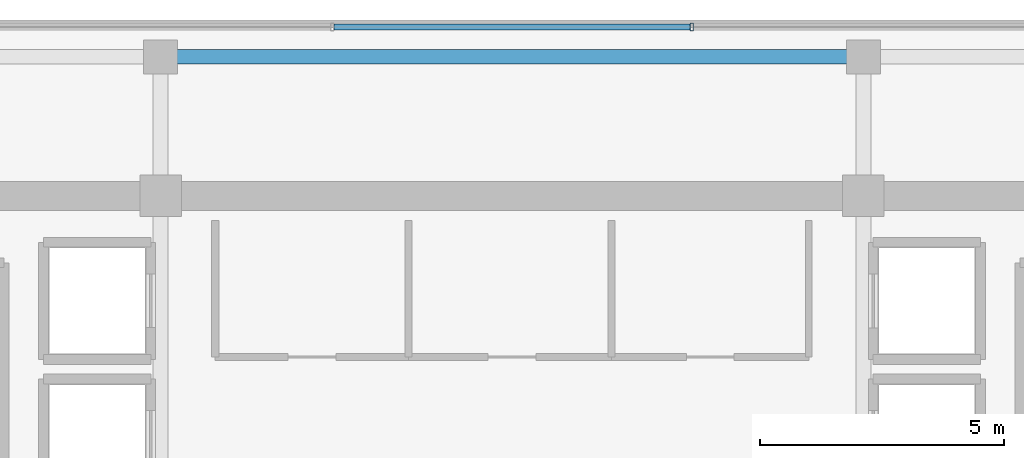
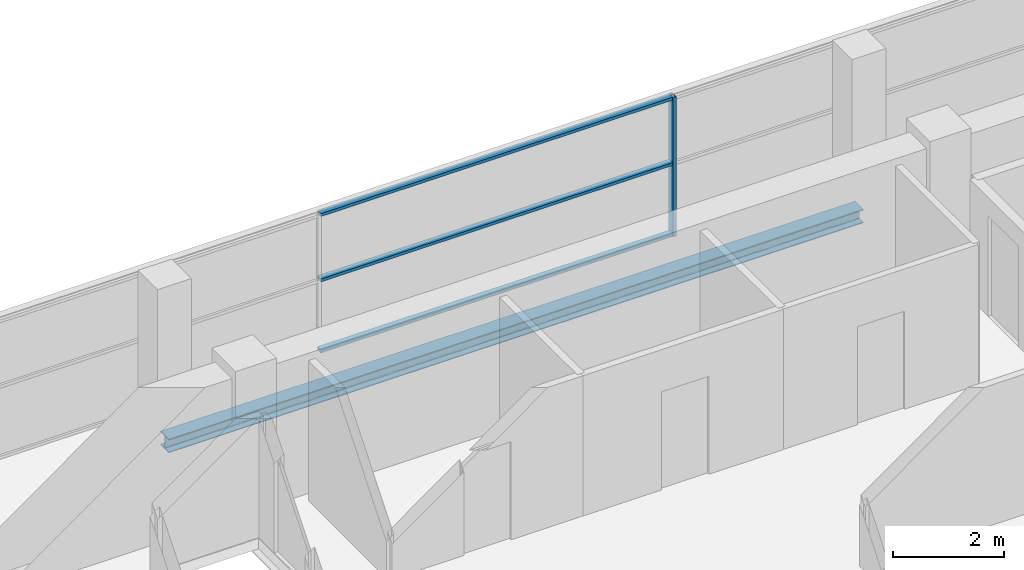
# One storey, part 18 of 28: 4 members, 1 beam, 1 element without a shape of its own.
"""IFC4 building model written with IfcOpenShell, lengths in metres."""

from ifc_helpers import new_model, si_unit, direction, frame, origin, origin_2d, place, context, subcontext, project, spatial, hollow_rectangle, i_section, extrude, source, transform, mapped, material, layer, layer_set, material_profile, profile_set, type_object, element, aggregate, save


model = new_model("IFC4")

# Units and contexts
model_context = context("Model", 3, precision=1e-05, world=origin(), true_north=direction((0.0, 1.0)))
body_context = subcontext(model_context, "Body", "Model", "MODEL_VIEW")
ifc_project = project(units=[si_unit("LENGTHUNIT", "METRE"), si_unit("AREAUNIT", "SQUARE_METRE"), si_unit("VOLUMEUNIT", "CUBIC_METRE"), si_unit("PLANEANGLEUNIT", "RADIAN"), si_unit("MASSUNIT", "GRAM", prefix="KILO")], contexts=[model_context])

# Site, building, storey
site_placement = place(None, origin())
site = spatial("IfcSite", under=ifc_project, at=site_placement, CompositionType="ELEMENT")
building_placement = place(site_placement, origin())
building = spatial("IfcBuilding", under=site, at=building_placement, Name="Zarnakvel Exchange Tower", CompositionType="ELEMENT")
storey_placement = place(building_placement, frame((0.0, 0.0, 261.699951171875)))
storey = spatial("IfcBuildingStorey", under=building, at=storey_placement, Name="L74", CompositionType="ELEMENT", Elevation=261.699951171875)

# Beam
ifc_material_1 = material(Name="Steel S355", Category="steel")
ifc_material_profile_1 = material_profile(ifc_material_1, i_section(OverallWidth=0.300048828125, OverallDepth=0.300048828125, WebThickness=0.010986328125, FlangeThickness=0.01904296875, FilletRadius=0.027099609375, at=origin_2d()))
ifc_profile_set_1 = profile_set([ifc_material_profile_1], Name="Steel S355")
beam_type = type_object("IfcBeamType", Name="SP-03", PredefinedType="SPANDREL", material=ifc_profile_set_1)
beam_placement = place(storey_placement, frame((-7.199951171875, 16.35009765625, -0.375), z_axis=(1.0, 0.0, 0.0), x_axis=(0.0, 1.0, 0.0)))
element("IfcBeam", 1, at=beam_placement, inside=storey, type_object=beam_type, Name="L74 Tower E-W Frame Beam", PredefinedType="SPANDREL", context=body_context, shape_type="SweptSolid", body=[
    extrude(i_section(OverallWidth=0.300048828125, OverallDepth=0.300048828125, WebThickness=0.010986328125, FlangeThickness=0.01904296875, FilletRadius=0.027099609375, at=origin_2d()), origin(), (0.0, 0.0, 1.0), 14.39990234375),
])

# Curtain wall, members
ifc_material_2 = material(Name="Architectural Bronze Anodised Aluminium", Category="aluminium")
ifc_layer = layer(ifc_material_2, 0.159912109375)
ifc_layer_set = layer_set([ifc_layer], Name="Architectural Bronze Anodised Aluminium")
curtain_wall_type = type_object("IfcCurtainWallType", Name="CW-06", PredefinedType="NOTDEFINED", material=ifc_layer_set)
curtain_wall_placement = place(storey_placement, origin())
curtain_wall = element("IfcCurtainWall", 2, at=curtain_wall_placement, inside=storey, type_object=curtain_wall_type, Name="L74 Curtain Wall CW-L74-N1 (CW-06)", PredefinedType="NOTDEFINED")
ifc_material_profile_2 = material_profile(ifc_material_2, hollow_rectangle(XDim=0.1298828125, YDim=0.06494140625, WallThickness=0.00390625, at=origin_2d()))
ifc_profile_set_2 = profile_set([ifc_material_profile_2], Name="Architectural Bronze Anodised Aluminium")
member_type_1 = type_object("IfcMemberType", Name="CWT-06", PredefinedType="USERDEFINED", material=ifc_profile_set_2)
shared_shape_1 = source(origin(), body_context, "Body", "SweptSolid", [
    extrude(hollow_rectangle(XDim=0.1298828125, YDim=0.06494140625, WallThickness=0.00390625, at=origin_2d()), origin(), (0.0, 0.0, 1.0), 7.294921875),
])
member_1_placement = place(storey_placement, frame((-3.6474609375, 16.9599609375, 0.032470703125), z_axis=(1.0, 0.0, 0.0), x_axis=(0.0, 1.0, 0.0)))
member_1 = element("IfcMember", 3, at=member_1_placement, type_object=member_type_1, Name="CW-06 transom 3.1", ObjectType="TRANSOM", PredefinedType="USERDEFINED", context=body_context, shape_type="MappedRepresentation", body=[
    mapped(shared_shape_1, transform((0.0, 0.0, 0.0), x_axis=(1.0, 0.0, 0.0), y_axis=(0.0, 1.0, 0.0), z_axis=(0.0, 0.0, 1.0), scale=1.0)),
])
member_2_placement = place(storey_placement, frame((-3.6474609375, 16.9599609375, 1.588623046875), z_axis=(1.0, 0.0, 0.0), x_axis=(0.0, 1.0, 0.0)))
member_2 = element("IfcMember", 4, at=member_2_placement, type_object=member_type_1, Name="CW-06 transom 3.2", ObjectType="TRANSOM", PredefinedType="USERDEFINED", context=body_context, shape_type="MappedRepresentation", body=[
    mapped(shared_shape_1, transform((0.0, 0.0, 0.0), x_axis=(1.0, 0.0, 0.0), y_axis=(0.0, 1.0, 0.0), z_axis=(0.0, 0.0, 1.0), scale=1.0)),
])
member_3_placement = place(storey_placement, frame((-3.6474609375, 16.9599609375, 3.0224609375), z_axis=(1.0, 0.0, 0.0), x_axis=(0.0, 1.0, 0.0)))
member_3 = element("IfcMember", 5, at=member_3_placement, type_object=member_type_1, Name="CW-06 transom 3.3", ObjectType="TRANSOM", PredefinedType="USERDEFINED", context=body_context, shape_type="MappedRepresentation", body=[
    mapped(shared_shape_1, transform((0.0, 0.0, 0.0), x_axis=(1.0, 0.0, 0.0), y_axis=(0.0, 1.0, 0.0), z_axis=(0.0, 0.0, 1.0), scale=1.0)),
])
ifc_material_profile_3 = material_profile(ifc_material_2, hollow_rectangle(XDim=0.159912109375, YDim=0.06494140625, WallThickness=0.00390625, at=origin_2d()))
ifc_profile_set_3 = profile_set([ifc_material_profile_3], Name="Architectural Bronze Anodised Aluminium")
member_type_2 = type_object("IfcMemberType", Name="CWM-06", PredefinedType="MULLION", material=ifc_profile_set_3)
shared_shape_2 = source(origin(), body_context, "Body", "SweptSolid", [
    extrude(hollow_rectangle(XDim=0.159912109375, YDim=0.06494140625, WallThickness=0.00390625, at=origin_2d()), origin(), (0.0, 0.0, 1.0), 3.054931640625),
])
member_4_placement = place(storey_placement, frame((3.679931640625, 16.9599609375, 0.0), z_axis=(0.0, 0.0, 1.0), x_axis=(0.0, 1.0, 0.0)))
member_4 = element("IfcMember", 6, at=member_4_placement, type_object=member_type_2, Name="CW-06 mullion 4", PredefinedType="MULLION", context=body_context, shape_type="MappedRepresentation", body=[
    mapped(shared_shape_2, transform((0.0, 0.0, 0.0), x_axis=(1.0, 0.0, 0.0), y_axis=(0.0, 1.0, 0.0), z_axis=(0.0, 0.0, 1.0), scale=1.0)),
])
aggregate(curtain_wall, [member_4, member_1, member_2, member_3])

save(model, "model.ifc")
